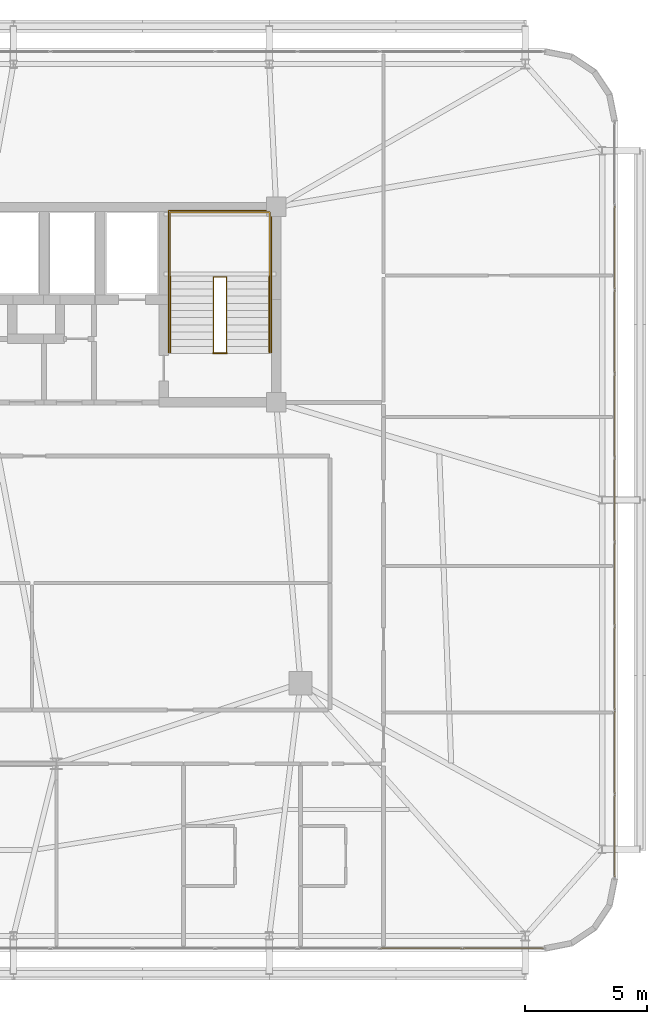
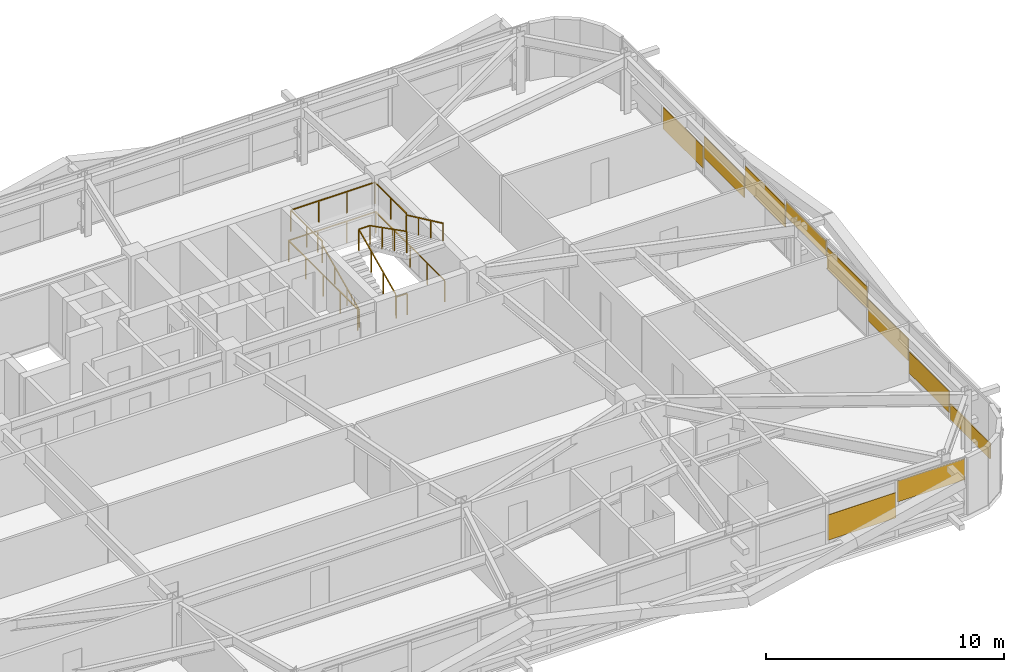
# One storey, part 58 of 59: 10 coverings, 6 railings.
"""IFC4 building model written with IfcOpenShell, lengths in metres."""

from ifc_helpers import new_model, si_unit, direction, frame, origin, origin_2d, place, context, subcontext, project, spatial, rectangle, extrude, source, transform, mapped, material, layer, layer_set, type_object, element, save


model = new_model("IFC4")

# Units and contexts
model_context = context("Model", 3, precision=1e-05, world=origin(), true_north=direction((0.0, 1.0)))
body_context = subcontext(model_context, "Body", "Model", "MODEL_VIEW")
ifc_project = project(units=[si_unit("LENGTHUNIT", "METRE"), si_unit("AREAUNIT", "SQUARE_METRE"), si_unit("VOLUMEUNIT", "CUBIC_METRE"), si_unit("PLANEANGLEUNIT", "RADIAN"), si_unit("MASSUNIT", "GRAM", prefix="KILO")], contexts=[model_context])

# Site, building, storey
site_placement = place(None, origin())
site = spatial("IfcSite", under=ifc_project, at=site_placement, CompositionType="ELEMENT")
building_placement = place(site_placement, origin())
building = spatial("IfcBuilding", under=site, at=building_placement, Name="Taldren Reach Tower", CompositionType="ELEMENT")
storey_placement = place(building_placement, frame((0.0, 0.0, 29.39990234375)))
storey = spatial("IfcBuildingStorey", under=building, at=storey_placement, Name="L08", CompositionType="ELEMENT", Elevation=29.39990234375)

# Railings
ifc_material_1 = material(Name="Steel Gr 350 (C350L0)", Category="steel")
ifc_layer_1 = layer(ifc_material_1, 0.050048828125)
ifc_layer_set_1 = layer_set([ifc_layer_1], Name="Steel Gr 350 (C350L0)")
railing_type_1 = type_object("IfcRailingType", Name="RL-STAIR-GR", PredefinedType="GUARDRAIL", material=ifc_layer_set_1)
railing_1_placement = place(storey_placement, frame((46.659912109375, 29.135009765625, 1.5751953125)))
element("IfcRailing", 1, at=railing_1_placement, inside=storey, type_object=railing_type_1, Name="Stair half-landing perimeter guard ST2-L08", PredefinedType="GUARDRAIL", context=body_context, shape_type="SweptSolid", body=[
    extrude(rectangle(XDim=0.047852, YDim=0.047852, at=origin_2d()), frame((0.0, 0.0, 1.09619140625), z_axis=(0.0, 1.0, 0.0), x_axis=(-1.0, 0.0, 0.0)), (0.0, 0.0, 1.0), 2.64501953125),
    extrude(rectangle(XDim=0.047852, YDim=0.047852, at=origin_2d()), frame((0.0, 2.64501953125, 1.09619140625), z_axis=(1.0, 0.0, 0.0), x_axis=(0.0, 1.0, 0.0)), (0.0, 0.0, 1.0), 4.080078125),
    extrude(rectangle(XDim=0.047852, YDim=0.047852, at=origin_2d()), frame((4.080078125, 2.64501953125, 1.09619140625), z_axis=(0.0, -1.0, 0.0), x_axis=(1.0, 0.0, 0.0)), (0.0, 0.0, 1.0), 2.64501953125),
    extrude(rectangle(XDim=0.041992, YDim=0.041992, at=origin_2d()), origin(), (0.0, 0.0, 1.0), 1.072021484375),
    extrude(rectangle(XDim=0.041992, YDim=0.041992, at=origin_2d()), frame((0.0, 1.322509765625, 0.0)), (0.0, 0.0, 1.0), 1.072021484375),
    extrude(rectangle(XDim=0.041992, YDim=0.041992, at=origin_2d()), frame((0.0, 2.64501953125, 0.0)), (0.0, 0.0, 1.0), 1.072021484375),
    extrude(rectangle(XDim=0.041992, YDim=0.041992, at=origin_2d()), frame((1.360107421875, 2.64501953125, 0.0)), (0.0, 0.0, 1.0), 1.072021484375),
    extrude(rectangle(XDim=0.041992, YDim=0.041992, at=origin_2d()), frame((2.719970703125, 2.64501953125, 0.0)), (0.0, 0.0, 1.0), 1.072021484375),
    extrude(rectangle(XDim=0.041992, YDim=0.041992, at=origin_2d()), frame((4.080078125, 2.64501953125, 0.0)), (0.0, 0.0, 1.0), 1.072021484375),
    extrude(rectangle(XDim=0.041992, YDim=0.041992, at=origin_2d()), frame((4.080078125, 1.322509765625, 0.0)), (0.0, 0.0, 1.0), 1.072021484375),
    extrude(rectangle(XDim=0.041992, YDim=0.041992, at=origin_2d()), frame((4.080078125, 0.0, 0.0)), (0.0, 0.0, 1.0), 1.072021484375),
])
railing_2_placement = place(storey_placement, frame((48.429931640625, 26.050048828125, 0.13134765625)))
element("IfcRailing", 2, at=railing_2_placement, inside=storey, type_object=railing_type_1, Name="Stairwell inner guard ST2-L08", PredefinedType="GUARDRAIL", context=body_context, shape_type="SweptSolid", body=[
    extrude(rectangle(XDim=0.047852, YDim=0.047852, at=origin_2d()), frame((0.0, 0.0, 1.09619140625), z_axis=(0.0, 0.905710134349, 0.423897573167), x_axis=(-1.0, 0.0, 0.0)), (0.0, 0.0, 1.0), 3.406005859375),
    extrude(rectangle(XDim=0.047852, YDim=0.047852, at=origin_2d()), frame((0.0, 3.0849609375, 2.5400390625), z_axis=(1.0, 0.0, 0.0), x_axis=(0.0, 1.0, 0.0)), (0.0, 0.0, 1.0), 0.5400390625),
    extrude(rectangle(XDim=0.047852, YDim=0.047852, at=origin_2d()), frame((0.5400390625, 3.0849609375, 2.5400390625), z_axis=(0.0, -0.890645957773, 0.45469745755), x_axis=(1.0, 0.0, 0.0)), (0.0, 0.0, 1.0), 3.463623046875),
    extrude(rectangle(XDim=0.041992, YDim=0.041992, at=origin_2d()), origin(), (0.0, 0.0, 1.0), 1.072021484375),
    extrude(rectangle(XDim=0.041992, YDim=0.041992, at=origin_2d()), frame((0.0, 1.0283203125, 0.481201171875)), (0.0, 0.0, 1.0), 1.072021484375),
    extrude(rectangle(XDim=0.041992, YDim=0.041992, at=origin_2d()), frame((0.0, 2.056640625, 0.962646484375)), (0.0, 0.0, 1.0), 1.072021484375),
    extrude(rectangle(XDim=0.041992, YDim=0.041992, at=origin_2d()), frame((0.0, 3.0849609375, 1.44384765625)), (0.0, 0.0, 1.0), 1.072021484375),
    extrude(rectangle(XDim=0.041992, YDim=0.041992, at=origin_2d()), frame((0.5400390625, 3.0849609375, 1.44384765625)), (0.0, 0.0, 1.0), 1.072021484375),
    extrude(rectangle(XDim=0.041992, YDim=0.041992, at=origin_2d()), frame((0.5400390625, 2.056640625, 1.96875)), (0.0, 0.0, 1.0), 1.072021484375),
    extrude(rectangle(XDim=0.041992, YDim=0.041992, at=origin_2d()), frame((0.5400390625, 1.0283203125, 2.493896484375)), (0.0, 0.0, 1.0), 1.072021484375),
    extrude(rectangle(XDim=0.041992, YDim=0.041992, at=origin_2d()), frame((0.5400390625, 0.0, 3.018798828125)), (0.0, 0.0, 1.0), 1.072021484375),
])
railing_3_placement = place(storey_placement, frame((48.429931640625, 26.010009765625, 0.0)))
element("IfcRailing", 3, at=railing_3_placement, inside=storey, type_object=railing_type_1, Name="Stairwell landing slot guard ST2-L08", PredefinedType="GUARDRAIL", context=body_context, shape_type="SweptSolid", body=[
    extrude(rectangle(XDim=0.047852, YDim=0.047852, at=origin_2d()), frame((0.0, 0.0, 1.09619140625), z_axis=(1.0, 0.0, 0.0), x_axis=(0.0, 1.0, 0.0)), (0.0, 0.0, 1.0), 0.5400390625),
    extrude(rectangle(XDim=0.041992, YDim=0.041992, at=origin_2d()), origin(), (0.0, 0.0, 1.0), 1.072021484375),
    extrude(rectangle(XDim=0.041992, YDim=0.041992, at=origin_2d()), frame((0.5400390625, 0.0, 0.0)), (0.0, 0.0, 1.0), 1.072021484375),
])
railing_4_placement = place(storey_placement, frame((46.590087890625, 26.050048828125, 0.0)))
element("IfcRailing", 4, at=railing_4_placement, inside=storey, type_object=railing_type_1, Name="Stairwell floor opening guard ST2-L08", PredefinedType="GUARDRAIL", context=body_context, shape_type="SweptSolid", body=[
    extrude(rectangle(XDim=0.047852, YDim=0.047852, at=origin_2d()), frame((0.0, 0.0, 1.09619140625), z_axis=(0.0, 1.0, 0.0), x_axis=(-1.0, 0.0, 0.0)), (0.0, 0.0, 1.0), 5.800048828125),
    extrude(rectangle(XDim=0.047852, YDim=0.047852, at=origin_2d()), frame((0.0, 5.800048828125, 1.09619140625), z_axis=(1.0, 0.0, 0.0), x_axis=(0.0, 1.0, 0.0)), (0.0, 0.0, 1.0), 4.219970703125),
    extrude(rectangle(XDim=0.047852, YDim=0.047852, at=origin_2d()), frame((4.219970703125, 5.800048828125, 1.09619140625), z_axis=(0.0, -1.0, 0.0), x_axis=(1.0, 0.0, 0.0)), (0.0, 0.0, 1.0), 5.800048828125),
    extrude(rectangle(XDim=0.041992, YDim=0.041992, at=origin_2d()), origin(), (0.0, 0.0, 1.0), 1.072021484375),
    extrude(rectangle(XDim=0.041992, YDim=0.041992, at=origin_2d()), frame((0.0, 1.449951171875, 0.0)), (0.0, 0.0, 1.0), 1.072021484375),
    extrude(rectangle(XDim=0.041992, YDim=0.041992, at=origin_2d()), frame((0.0, 2.89990234375, 0.0)), (0.0, 0.0, 1.0), 1.072021484375),
    extrude(rectangle(XDim=0.041992, YDim=0.041992, at=origin_2d()), frame((0.0, 4.35009765625, 0.0)), (0.0, 0.0, 1.0), 1.072021484375),
    extrude(rectangle(XDim=0.041992, YDim=0.041992, at=origin_2d()), frame((0.0, 5.800048828125, 0.0)), (0.0, 0.0, 1.0), 1.072021484375),
    extrude(rectangle(XDim=0.041992, YDim=0.041992, at=origin_2d()), frame((1.40673828125, 5.800048828125, 0.0)), (0.0, 0.0, 1.0), 1.072021484375),
    extrude(rectangle(XDim=0.041992, YDim=0.041992, at=origin_2d()), frame((2.813232421875, 5.800048828125, 0.0)), (0.0, 0.0, 1.0), 1.072021484375),
    extrude(rectangle(XDim=0.041992, YDim=0.041992, at=origin_2d()), frame((4.219970703125, 5.800048828125, 0.0)), (0.0, 0.0, 1.0), 1.072021484375),
    extrude(rectangle(XDim=0.041992, YDim=0.041992, at=origin_2d()), frame((4.219970703125, 4.35009765625, 0.0)), (0.0, 0.0, 1.0), 1.072021484375),
    extrude(rectangle(XDim=0.041992, YDim=0.041992, at=origin_2d()), frame((4.219970703125, 2.89990234375, 0.0)), (0.0, 0.0, 1.0), 1.072021484375),
    extrude(rectangle(XDim=0.041992, YDim=0.041992, at=origin_2d()), frame((4.219970703125, 1.449951171875, 0.0)), (0.0, 0.0, 1.0), 1.072021484375),
    extrude(rectangle(XDim=0.041992, YDim=0.041992, at=origin_2d()), frame((4.219970703125, 0.0, 0.0)), (0.0, 0.0, 1.0), 1.072021484375),
])
ifc_material_2 = material(Name="Stainless Steel Gr 316", Category="steel")
ifc_layer_2 = layer(ifc_material_2, 0.048095703125)
ifc_layer_set_2 = layer_set([ifc_layer_2], Name="Stainless Steel Gr 316")
railing_type_2 = type_object("IfcRailingType", Name="RL-STAIR-HR", PredefinedType="HANDRAIL", material=ifc_layer_set_2)
railing_5_placement = place(storey_placement, frame((46.669921875, 26.050048828125, 0.13134765625)))
element("IfcRailing", 5, at=railing_5_placement, inside=storey, type_object=railing_type_2, Name="Stair flight handrail ST2-L08-1", PredefinedType="HANDRAIL", context=body_context, shape_type="SweptSolid", body=[
    extrude(rectangle(XDim=0.047852, YDim=0.047852, at=origin_2d()), frame((0.0, 0.0, 0.89599609375), z_axis=(0.0, 0.905710134349, 0.423897573167), x_axis=(-1.0, 0.0, 0.0)), (0.0, 0.0, 1.0), 3.406005859375),
    extrude(rectangle(XDim=0.041992, YDim=0.041992, at=origin_2d()), origin(), (0.0, 0.0, 1.0), 0.871826171875),
    extrude(rectangle(XDim=0.041992, YDim=0.041992, at=origin_2d()), frame((0.0, 1.0283203125, 0.481201171875)), (0.0, 0.0, 1.0), 0.871826171875),
    extrude(rectangle(XDim=0.041992, YDim=0.041992, at=origin_2d()), frame((0.0, 2.056640625, 0.962646484375)), (0.0, 0.0, 1.0), 0.871826171875),
    extrude(rectangle(XDim=0.041992, YDim=0.041992, at=origin_2d()), frame((0.0, 3.0849609375, 1.44384765625)), (0.0, 0.0, 1.0), 0.871826171875),
])
railing_6_placement = place(storey_placement, frame((50.72998046875, 29.135009765625, 1.706298828125)))
element("IfcRailing", 6, at=railing_6_placement, inside=storey, type_object=railing_type_2, Name="Stair flight handrail ST2-L08-2", PredefinedType="HANDRAIL", context=body_context, shape_type="SweptSolid", body=[
    extrude(rectangle(XDim=0.047852, YDim=0.047852, at=origin_2d()), frame((0.0, 0.0, 0.89599609375), z_axis=(0.0, -0.905710134349, 0.423897573167), x_axis=(1.0, 0.0, 0.0)), (0.0, 0.0, 1.0), 3.406005859375),
    extrude(rectangle(XDim=0.041992, YDim=0.041992, at=origin_2d()), origin(), (0.0, 0.0, 1.0), 0.871826171875),
    extrude(rectangle(XDim=0.041992, YDim=0.041992, at=origin_2d()), frame((0.0, -1.0283203125, 0.481201171875)), (0.0, 0.0, 1.0), 0.871826171875),
    extrude(rectangle(XDim=0.041992, YDim=0.041992, at=origin_2d()), frame((0.0, -2.056640625, 0.962646484375)), (0.0, 0.0, 1.0), 0.871826171875),
    extrude(rectangle(XDim=0.041992, YDim=0.041992, at=origin_2d()), frame((0.0, -3.0849609375, 1.44384765625)), (0.0, 0.0, 1.0), 0.871826171875),
])

# Coverings
ifc_material_3 = material(Name="Pale Champagne Fluoropolymer Aluminium Spandrel Cladding", Category="aluminium")
ifc_layer_3 = layer(ifc_material_3, 0.0439453125)
ifc_layer_set_3 = layer_set([ifc_layer_3], Name="Pale Champagne Fluoropolymer Aluminium Spandrel Cladding")
covering_type = type_object("IfcCoveringType", Name="CV-CLAD-044", PredefinedType="CLADDING", material=ifc_layer_set_3)
shared_shape_1 = source(origin(), body_context, "Body", "SweptSolid", [
    extrude(rectangle(XDim=3.277587890625, YDim=0.0439453125, at=origin_2d()), origin(), (0.0, 0.0, 1.0), 1.081298828125),
])
covering_1_placement = place(storey_placement, frame((60.296142578125, 1.639892578125, 1.7939453125), z_axis=(0.0, 0.0, 1.0), x_axis=(1.0, 0.0, 0.0)))
element("IfcCovering", 7, at=covering_1_placement, inside=storey, type_object=covering_type, Name="Diagrid closure cladding strip CW-2 panel 16.1 1", PredefinedType="CLADDING", context=body_context, shape_type="MappedRepresentation", body=[
    mapped(shared_shape_1, transform((0.0, 0.0, 0.0), scale=1.0)),
])
shared_shape_2 = source(origin(), body_context, "Body", "SweptSolid", [
    extrude(rectangle(XDim=3.31005859375, YDim=0.0439453125, at=origin_2d()), origin(), (0.0, 0.0, 1.0), 1.301025390625),
])
covering_2_placement = place(storey_placement, frame((56.9375, 1.639892578125, 1.01123046875), z_axis=(0.0, 0.0, 1.0), x_axis=(1.0, 0.0, 0.0)))
element("IfcCovering", 8, at=covering_2_placement, inside=storey, type_object=covering_type, Name="Diagrid closure cladding strip CW-2 panel 15.1 1", PredefinedType="CLADDING", context=body_context, shape_type="MappedRepresentation", body=[
    mapped(shared_shape_2, transform((0.0, 0.0, 0.0), scale=1.0)),
])
shared_shape_3 = source(origin(), body_context, "Body", "SweptSolid", [
    extrude(rectangle(XDim=3.37939453125, YDim=0.0439453125, at=origin_2d()), origin(), (0.0, 0.0, 1.0), 1.1015625),
])
for number, where, z_axis, x_axis, name in (
    (9, (64.860107421875, 9.666748046875, 0.34326171875), (0.0, 0.0, 1.0), (0.0, 1.0, 0.0), "Diagrid closure cladding strip CW-2 panel 2.1 1"),
    (10, (64.860107421875, 13.111083984375, 0.9287109375), (0.0, 0.0, 1.0), (0.0, 1.0, 0.0), "Diagrid closure cladding strip CW-2 panel 3.1 1"),
    (11, (64.860107421875, 16.5556640625, 1.513916015625), (0.0, 0.0, 1.0), (0.0, 1.0, 0.0), "Diagrid closure cladding strip CW-2 panel 4.1 1"),
    (12, (64.860107421875, 23.4443359375, 1.513916015625), (0.0, 0.0, 1.0), (0.0, 1.0, 0.0), "Diagrid closure cladding strip CW-2 panel 6.1 1"),
    (13, (64.860107421875, 26.888916015625, 0.9287109375), (0.0, 0.0, 1.0), (0.0, 1.0, 0.0), "Diagrid closure cladding strip CW-2 panel 7.1 1"),
    (14, (64.860107421875, 30.333251953125, 0.34326171875), (0.0, 0.0, 1.0), (0.0, 1.0, 0.0), "Diagrid closure cladding strip CW-2 panel 8.1 1"),
):
    element("IfcCovering", number, at=place(storey_placement, frame(where, z_axis=z_axis, x_axis=x_axis)), inside=storey, type_object=covering_type, Name=name, PredefinedType="CLADDING", context=body_context, shape_type="MappedRepresentation", body=[
        mapped(shared_shape_3, transform((0.0, 0.0, 0.0), scale=1.0)),
    ])
shared_shape_4 = source(origin(), body_context, "Body", "SweptSolid", [
    extrude(rectangle(XDim=3.346923828125, YDim=0.0439453125, at=origin_2d()), origin(), (0.0, 0.0, 1.0), 0.804443359375),
])
covering_3_placement = place(storey_placement, frame((64.860107421875, 6.238525390625, 0.05517578125), z_axis=(0.0, 0.0, 1.0), x_axis=(0.0, 1.0, 0.0)))
element("IfcCovering", 15, at=covering_3_placement, inside=storey, type_object=covering_type, Name="Diagrid closure cladding strip CW-2 panel 1.1 1", PredefinedType="CLADDING", context=body_context, shape_type="MappedRepresentation", body=[
    mapped(shared_shape_4, transform((0.0, 0.0, 0.0), scale=1.0)),
])
shared_shape_5 = source(origin(), body_context, "Body", "SweptSolid", [
    extrude(rectangle(XDim=3.37939453125, YDim=0.0439453125, at=origin_2d()), origin(), (0.0, 0.0, 1.0), 0.77587890625),
])
covering_4_placement = place(storey_placement, frame((64.860107421875, 20.0, 2.099365234375), z_axis=(0.0, 0.0, 1.0), x_axis=(0.0, 1.0, 0.0)))
element("IfcCovering", 16, at=covering_4_placement, inside=storey, type_object=covering_type, Name="Diagrid closure cladding strip CW-2 panel 5.1 1", PredefinedType="CLADDING", context=body_context, shape_type="MappedRepresentation", body=[
    mapped(shared_shape_5, transform((0.0, 0.0, 0.0), scale=1.0)),
])

save(model, "model.ifc")
